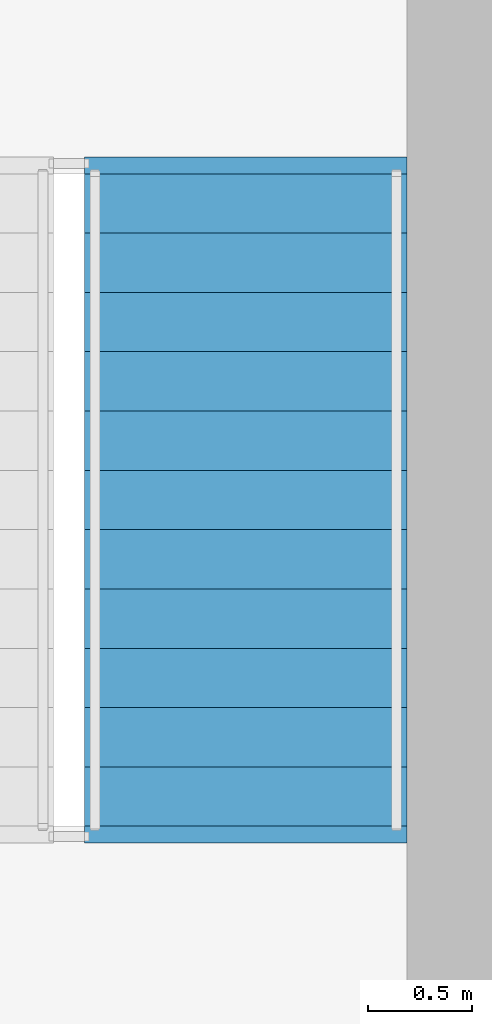
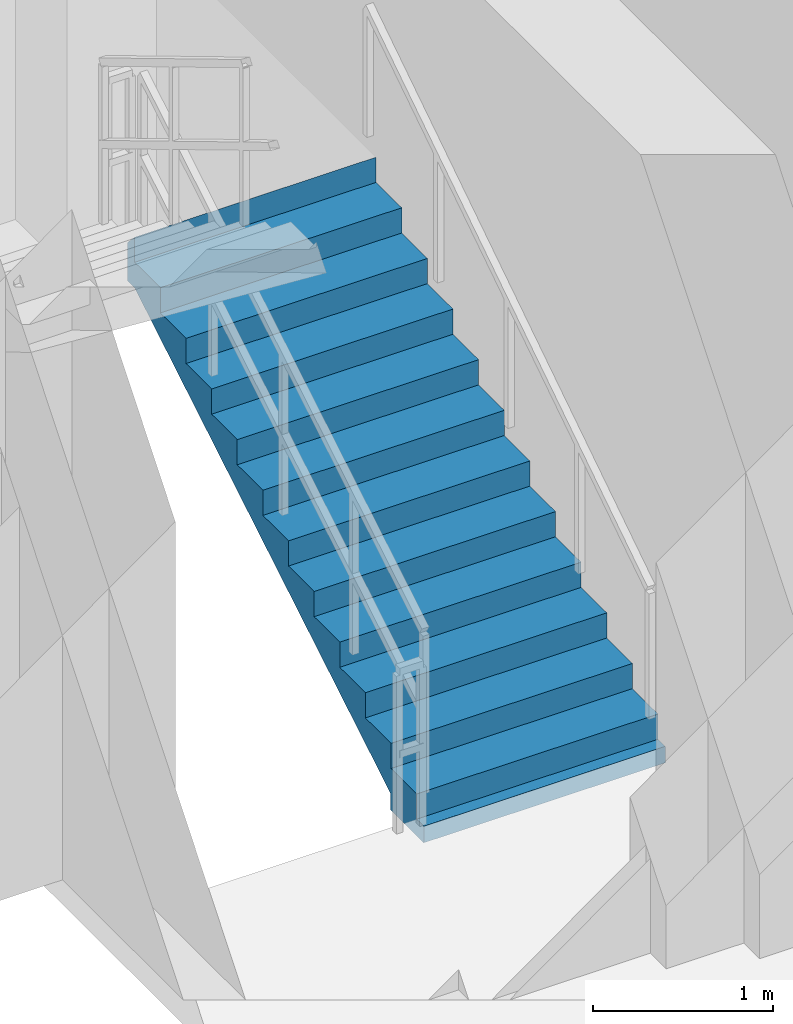
# One storey, part 8 of 12: 1 stair flight, 1 element without a shape of its own.
"""IFC4 building model written with IfcOpenShell, lengths in metres."""

from ifc_helpers import new_model, si_unit, direction, frame, origin, place, context, subcontext, project, spatial, polyline, outline, extrude, material, type_object, element, aggregate, save


model = new_model("IFC4")

# Units and contexts
model_context = context("Model", 3, precision=1e-05, world=origin(), true_north=direction((0.0, 1.0)))
body_context = subcontext(model_context, "Body", "Model", "MODEL_VIEW")
ifc_project = project(units=[si_unit("LENGTHUNIT", "METRE"), si_unit("AREAUNIT", "SQUARE_METRE"), si_unit("VOLUMEUNIT", "CUBIC_METRE"), si_unit("PLANEANGLEUNIT", "RADIAN"), si_unit("MASSUNIT", "GRAM", prefix="KILO")], contexts=[model_context])

# Site, building, storey
site_placement = place(None, origin())
site = spatial("IfcSite", under=ifc_project, at=site_placement, CompositionType="ELEMENT")
building_placement = place(site_placement, origin())
building = spatial("IfcBuilding", under=site, at=building_placement, Name="Apsidion Concourse Tower", CompositionType="ELEMENT")
storey_placement = place(building_placement, frame((0.0, 0.0, 198.300048828125)))
storey = spatial("IfcBuildingStorey", under=building, at=storey_placement, Name="L46", CompositionType="ELEMENT", Elevation=198.300048828125)

# Stair, stair flight
ifc_material = material(Name="Precast concrete C40/50", Category="concrete")
stair_type = type_object("IfcStairType", Name="ST-DL-1550", PredefinedType="HALF_TURN_STAIR", material=ifc_material)
stair_placement = place(storey_placement, origin())
stair = element("IfcStair", 1, at=stair_placement, inside=storey, type_object=stair_type, Name="L46 Protected Core Exit Stair ST2", PredefinedType="HALF_TURN_STAIR")
stair_flight_type = type_object("IfcStairFlightType", Name="SFL-RC-1550", PredefinedType="STRAIGHT", material=ifc_material)
stair_flight_placement = place(storey_placement, frame((6.425048828125, 3.0, 0.0), z_axis=(0.0, 0.0, 1.0), x_axis=(0.0, 1.0, 0.0)))
stair_flight = element("IfcStairFlight", 2, at=stair_flight_placement, type_object=stair_flight_type, Name="ST2 flight 1", NumberOfRisers=12, NumberOfTreads=11, PredefinedType="STRAIGHT", RiserHeight=0.170833333, TreadLength=0.285, context=body_context, shape_type="SweptSolid", body=[
    extrude(outline(polyline([(-0.080078125, -0.1123046875), (-0.080078125, 0.0), (0.0, 0.0), (0.0, 0.1708984375), (0.284912109375, 0.1708984375), (0.284912109375, 0.341552734375), (0.570068359375, 0.341552734375), (0.570068359375, 0.512451171875), (0.85498046875, 0.512451171875), (0.85498046875, 0.683349609375), (1.139892578125, 0.683349609375), (1.139892578125, 0.854248046875), (1.425048828125, 0.854248046875), (1.425048828125, 1.02490234375), (1.7099609375, 1.02490234375), (1.7099609375, 1.19580078125), (1.9951171875, 1.19580078125), (1.9951171875, 1.36669921875), (2.280029296875, 1.36669921875), (2.280029296875, 1.53759765625), (2.56494140625, 1.53759765625), (2.56494140625, 1.708251953125), (2.85009765625, 1.708251953125), (2.85009765625, 1.879150390625), (3.135009765625, 1.879150390625), (3.135009765625, 2.050048828125), (3.215087890625, 1.964599609375), (3.215087890625, 1.704345703125), (3.135009765625, 1.704345703125), (0.29150390625, 0.0), (0.29150390625, -0.1123046875), (-0.080078125, -0.1123046875)])), frame((0.0, 0.77490234375, 0.0), z_axis=(0.0, -1.0, 0.0), x_axis=(1.0, 0.0, 0.0)), (0.0, 0.0, 1.0), 1.550048828125),
])
aggregate(stair, [stair_flight])

save(model, "model.ifc")
